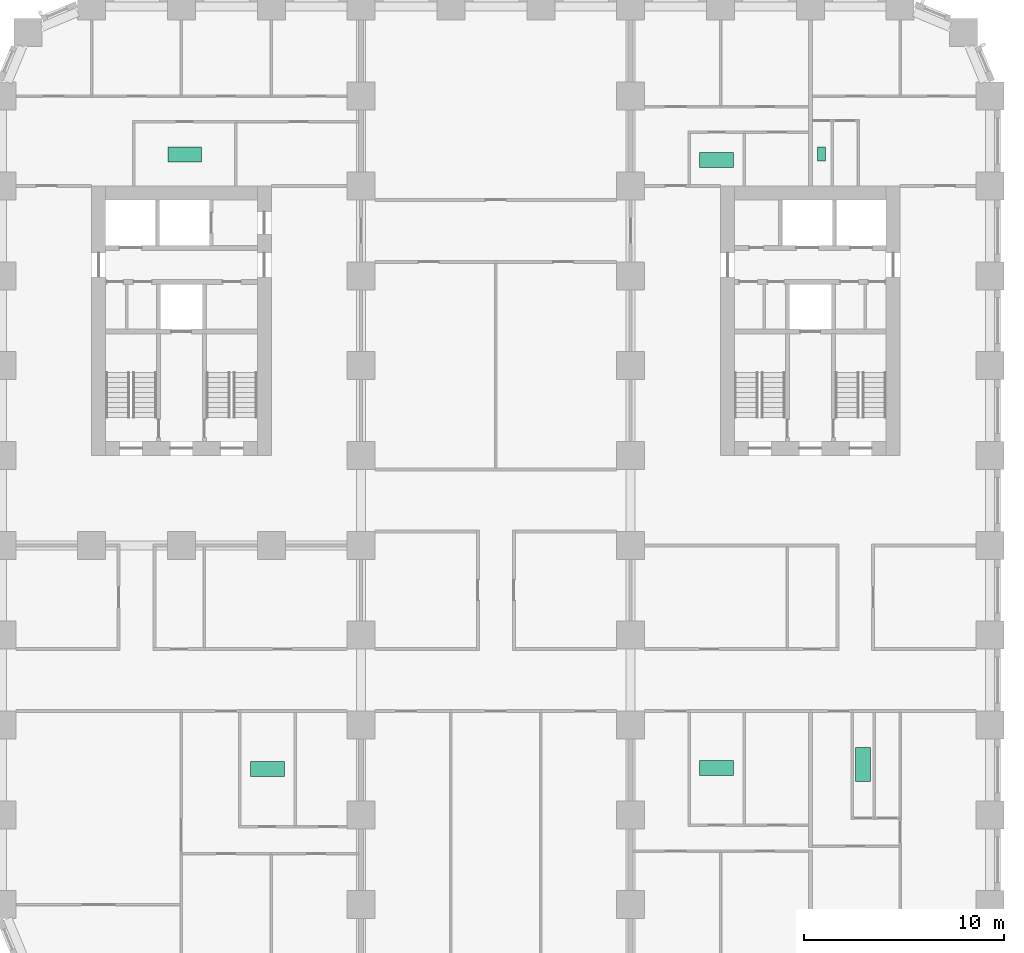
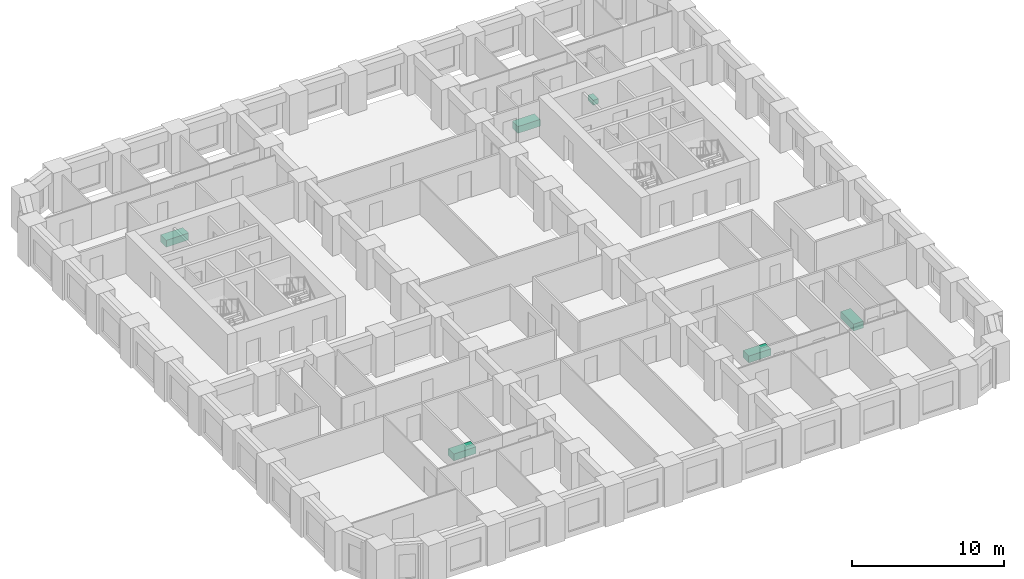
# One storey, part 12 of 12: 6 sanitary terminals.
"""IFC4 building model written with IfcOpenShell, lengths in metres."""

from ifc_helpers import new_model, si_unit, direction, frame, origin, origin_2d, place, context, subcontext, project, spatial, rectangle, extrude, material, type_object, element, save


model = new_model("IFC4")

# Units and contexts
model_context = context("Model", 3, precision=1e-05, world=origin(), true_north=direction((0.0, 1.0)))
body_context = subcontext(model_context, "Body", "Model", "MODEL_VIEW")
ifc_project = project(units=[si_unit("LENGTHUNIT", "METRE"), si_unit("AREAUNIT", "SQUARE_METRE"), si_unit("VOLUMEUNIT", "CUBIC_METRE"), si_unit("PLANEANGLEUNIT", "RADIAN"), si_unit("MASSUNIT", "GRAM", prefix="KILO")], contexts=[model_context])

# Site, building, storey
site_placement = place(None, origin())
site = spatial("IfcSite", under=ifc_project, at=site_placement, CompositionType="ELEMENT")
building_placement = place(site_placement, origin())
building = spatial("IfcBuilding", under=site, at=building_placement, Name="Girih Gate Residences", CompositionType="ELEMENT")
storey_placement = place(building_placement, frame((0.0, 0.0, 30.39990234375)))
storey = spatial("IfcBuildingStorey", under=building, at=storey_placement, Name="L06", CompositionType="ELEMENT", Elevation=30.39990234375)

# Sanitary terminals
ifc_material_1 = material(Name="Acrylic")
sanitary_terminal_type_1 = type_object("IfcSanitaryTerminalType", Name="Bath 1700", PredefinedType="BATH", material=ifc_material_1)
for number, where, z_axis, x_axis, name in (
    (1, (13.30810546875, 11.2939453125, 0.0), (0.0, 0.0, 1.0), (1.0, 0.0, 0.0), "Bath 1700 L06"),
    (2, (9.1640625, 42.0791015625, 0.0), (0.0, 0.0, 1.0), (1.0, 0.0, 0.0), "Bath 1700 L06"),
):
    element("IfcSanitaryTerminal", number, at=place(storey_placement, frame(where, z_axis=z_axis, x_axis=x_axis)), inside=storey, type_object=sanitary_terminal_type_1, Name=name, PredefinedType="BATH", context=body_context, shape_type="SweptSolid", body=[
        extrude(rectangle(XDim=1.699951171875, YDim=0.75, at=origin_2d()), origin(), (0.0, 0.0, 1.0), 0.550048828125),
    ])
sanitary_terminal_1_placement = place(storey_placement, frame((43.14501953125, 11.513916015625, 0.0), z_axis=(0.0, 0.0, 1.0), x_axis=(1.0, 0.0, 0.0)))
element("IfcSanitaryTerminal", 3, at=sanitary_terminal_1_placement, inside=storey, type_object=sanitary_terminal_type_1, Name="Bath 1700 L06", PredefinedType="BATH", context=body_context, shape_type="SweptSolid", body=[
    extrude(rectangle(XDim=0.75, YDim=1.699951171875, at=origin_2d()), origin(), (0.0, 0.0, 1.0), 0.550048828125),
])
for number, where, z_axis, x_axis, name in (
    (4, (35.801025390625, 11.333984375, 0.0), (0.0, 0.0, 1.0), (1.0, 0.0, 0.0), "Bath 1700 L06"),
    (5, (35.80810546875, 41.80908203125, 0.0), (0.0, 0.0, 1.0), (1.0, 0.0, 0.0), "Bath 1700 L06"),
):
    element("IfcSanitaryTerminal", number, at=place(storey_placement, frame(where, z_axis=z_axis, x_axis=x_axis)), inside=storey, type_object=sanitary_terminal_type_1, Name=name, PredefinedType="BATH", context=body_context, shape_type="SweptSolid", body=[
        extrude(rectangle(XDim=1.699951171875, YDim=0.75, at=origin_2d()), origin(), (0.0, 0.0, 1.0), 0.550048828125),
    ])
ifc_material_2 = material(Name="Vitreous china")
sanitary_terminal_type_2 = type_object("IfcSanitaryTerminalType", Name="WC pan", PredefinedType="TOILETPAN", material=ifc_material_2)
sanitary_terminal_2_placement = place(storey_placement, frame((41.06396484375, 42.09912109375, 0.000244140625), z_axis=(0.0, 0.0, 1.0), x_axis=(1.0, 0.0, 0.0)))
element("IfcSanitaryTerminal", 6, at=sanitary_terminal_2_placement, inside=storey, type_object=sanitary_terminal_type_2, Name="WC pan L06", PredefinedType="TOILETPAN", context=body_context, shape_type="SweptSolid", body=[
    extrude(rectangle(XDim=0.39990234375, YDim=0.699951171875, at=origin_2d()), origin(), (0.0, 0.0, 1.0), 0.39990234375),
])

save(model, "model.ifc")
